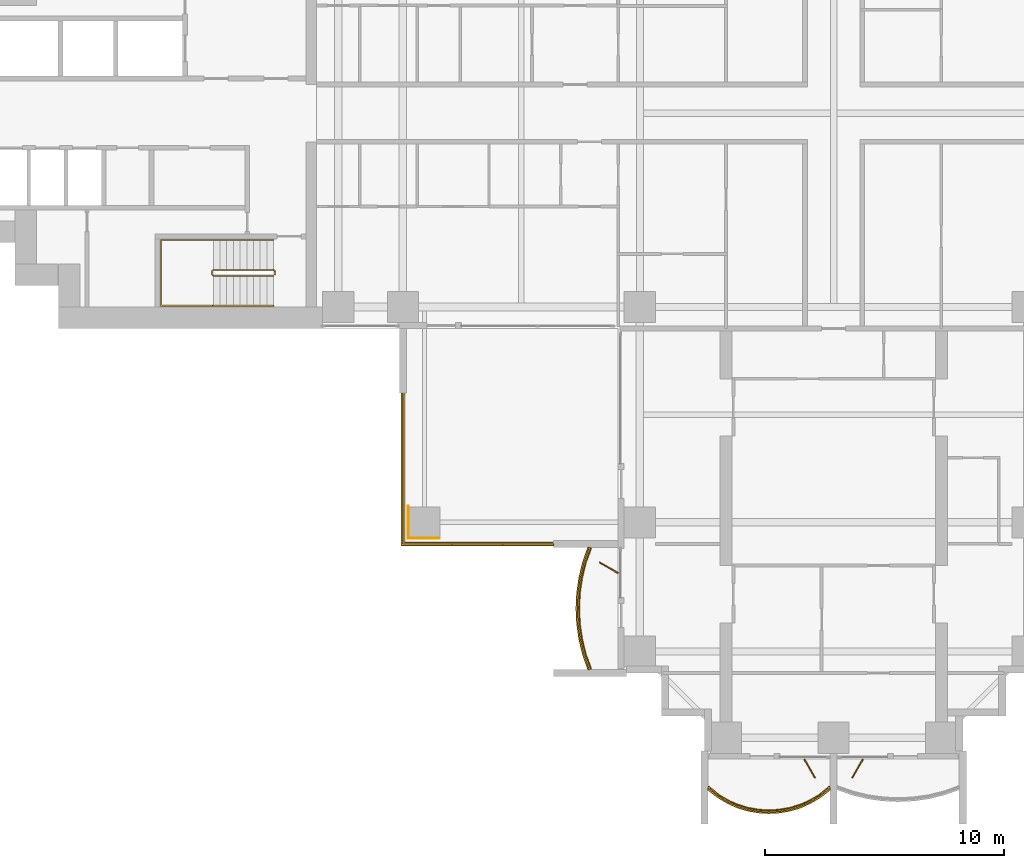
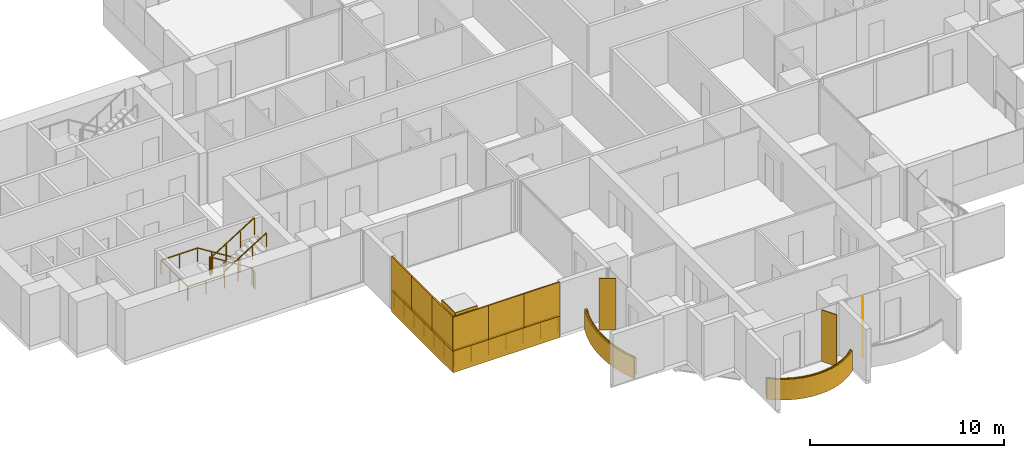
# One storey, part 17 of 20: 11 coverings, 5 railings, 3 shading devices.
"""IFC4 building model written with IfcOpenShell, lengths in metres."""

from ifc_helpers import new_model, si_unit, direction, frame, origin, origin_2d, place, context, subcontext, project, spatial, polyline, rectangle, outline, extrude, material, layer, layer_set, type_object, element, save


model = new_model("IFC4")

# Units and contexts
model_context = context("Model", 3, precision=1e-05, world=origin(), true_north=direction((0.0, 1.0)))
body_context = subcontext(model_context, "Body", "Model", "MODEL_VIEW")
ifc_project = project(units=[si_unit("LENGTHUNIT", "METRE"), si_unit("AREAUNIT", "SQUARE_METRE"), si_unit("VOLUMEUNIT", "CUBIC_METRE"), si_unit("PLANEANGLEUNIT", "RADIAN"), si_unit("MASSUNIT", "GRAM", prefix="KILO")], contexts=[model_context])

# Site, building, storey
site_placement = place(None, origin())
site = spatial("IfcSite", under=ifc_project, at=site_placement, CompositionType="ELEMENT")
building_placement = place(site_placement, origin())
building = spatial("IfcBuilding", under=site, at=building_placement, Name="Perihelion Cross Residences", CompositionType="ELEMENT")
storey_placement = place(building_placement, frame((0.0, 0.0, 68.0)))
storey = spatial("IfcBuildingStorey", under=building, at=storey_placement, Name="L14", CompositionType="ELEMENT", Elevation=68.0)

# Coverings
ifc_material_1 = material(Name="Bronze anodised aluminium", Category="aluminium")
ifc_layer_1 = layer(ifc_material_1, 0.070068359375)
ifc_layer_set_1 = layer_set([ifc_layer_1], Name="Balcony fascia 1300")
covering_type_1 = type_object("IfcCoveringType", Name="Balcony fascia 1300", PredefinedType="CLADDING", material=ifc_layer_set_1)
covering_1_placement = place(storey_placement, frame((0.0, 0.0, -0.199951171875)))
element("IfcCovering", 1, at=covering_1_placement, inside=storey, type_object=covering_type_1, Name="Fascia BF1 L14 south side west bay 2", PredefinedType="CLADDING", context=body_context, shape_type="SweptSolid", body=[
    extrude(outline(polyline([(-10.49072265625, -18.767578125), (-10.647216796875, -19.411865234375), (-10.739501953125, -20.055908203125), (-10.77001953125, -20.699951171875), (-10.739501953125, -21.34423828125), (-10.647216796875, -21.98828125), (-10.49072265625, -22.63232421875), (-10.274169921875, -23.25), (-10.199951171875, -23.25), (-10.423583984375, -22.612548828125), (-10.57861328125, -21.97509765625), (-10.669921875, -21.33740234375), (-10.699951171875, -20.699951171875), (-10.669921875, -20.0625), (-10.57861328125, -19.425048828125), (-10.423583984375, -18.78759765625), (-10.199951171875, -18.14990234375), (-10.274169921875, -18.14990234375), (-10.49072265625, -18.767578125)])), origin(), (0.0, 0.0, 1.0), 1.300048828125),
])
covering_2_placement = place(storey_placement, frame((0.0, 0.0, -0.199951171875)))
element("IfcCovering", 2, at=covering_2_placement, inside=storey, type_object=covering_type_1, Name="Fascia BF1 L14 south tip south bay 1", PredefinedType="CLADDING", context=body_context, shape_type="SweptSolid", body=[
    extrude(outline(polyline([(-4.86474609375, -28.59765625), (-4.431884765625, -28.85498046875), (-3.998779296875, -29.04248046875), (-3.56591796875, -29.170654296875), (-3.133056640625, -29.245361328125), (-2.699951171875, -29.27001953125), (-2.26708984375, -29.245361328125), (-1.833984375, -29.170654296875), (-1.401123046875, -29.04248046875), (-0.96826171875, -28.85498046875), (-0.53515625, -28.59765625), (-0.14990234375, -28.28955078125), (-0.14990234375, -28.199951171875), (-0.574951171875, -28.5400390625), (-1.0, -28.792724609375), (-1.425048828125, -28.9765625), (-1.85009765625, -29.1025390625), (-2.27490234375, -29.17578125), (-2.699951171875, -29.199951171875), (-3.125, -29.17578125), (-3.550048828125, -29.1025390625), (-3.97509765625, -28.9765625), (-4.39990234375, -28.792724609375), (-4.824951171875, -28.5400390625), (-5.25, -28.199951171875), (-5.25, -28.28955078125), (-4.86474609375, -28.59765625)])), origin(), (0.0, 0.0, 1.0), 1.300048828125),
])

# Railings
ifc_material_2 = material(Name="Bronze anodised aluminium", Category="aluminium")
railing_type_1 = type_object("IfcRailingType", Name="Balcony guard 1100", PredefinedType="GUARDRAIL", material=ifc_material_2)
railing_1_placement = place(storey_placement, frame((-10.139892578125, -18.175048828125, 0.0)))
element("IfcRailing", 3, at=railing_1_placement, inside=storey, type_object=railing_type_1, Name="Guard GU1 L14 south side west bay 2 balcony", PredefinedType="GUARDRAIL", context=body_context, shape_type="SweptSolid", body=[
    extrude(rectangle(XDim=0.048095703125, YDim=0.048095703125, at=origin_2d()), frame((0.0, 0.0, 1.076171875), z_axis=(-0.342945217749, -0.939355405384, 0.0), x_axis=(0.939355405384, -0.342945217749, 0.0)), (0.0, 0.0, 1.0), 0.652099609375),
    extrude(rectangle(XDim=0.048095703125, YDim=0.048095703125, at=origin_2d()), frame((-0.2236328125, -0.612548828125, 1.076171875), z_axis=(-0.236313594268, -0.971676841941, 0.0), x_axis=(0.971676841941, -0.236313594268, 0.0)), (0.0, 0.0, 1.0), 0.656005859375),
    extrude(rectangle(XDim=0.048095703125, YDim=0.048095703125, at=origin_2d()), frame((-0.378662109375, -1.25, 1.076171875), z_axis=(-0.141792889142, -0.989896346386, 0.0), x_axis=(0.989896346386, -0.141792889142, 0.0)), (0.0, 0.0, 1.0), 0.64404296875),
    extrude(rectangle(XDim=0.048095703125, YDim=0.048095703125, at=origin_2d()), frame((-0.469970703125, -1.887451171875, 1.076171875), z_axis=(-0.04705620296, -0.998892243319, 0.0), x_axis=(0.998892243319, -0.04705620296, 0.0)), (0.0, 0.0, 1.0), 0.63818359375),
    extrude(rectangle(XDim=0.048095703125, YDim=0.048095703125, at=origin_2d()), frame((-0.5, -2.52490234375, 1.076171875), z_axis=(0.04705620296, -0.998892243319, 0.0), x_axis=(0.998892243319, 0.04705620296, 0.0)), (0.0, 0.0, 1.0), 0.63818359375),
    extrude(rectangle(XDim=0.048095703125, YDim=0.048095703125, at=origin_2d()), frame((-0.469970703125, -3.162353515625, 1.076171875), z_axis=(0.141739694763, -0.989903964498, 0.0), x_axis=(0.989903964498, 0.141739694763, 0.0)), (0.0, 0.0, 1.0), 0.644287109375),
    extrude(rectangle(XDim=0.048095703125, YDim=0.048095703125, at=origin_2d()), frame((-0.378662109375, -3.800048828125, 1.076171875), z_axis=(0.236313594268, -0.971676841941, 0.0), x_axis=(0.971676841941, 0.236313594268, 0.0)), (0.0, 0.0, 1.0), 0.656005859375),
    extrude(rectangle(XDim=0.048095703125, YDim=0.048095703125, at=origin_2d()), frame((-0.2236328125, -4.4375, 1.076171875), z_axis=(0.342945217749, -0.939355405384, 0.0), x_axis=(0.939355405384, 0.342945217749, 0.0)), (0.0, 0.0, 1.0), 0.652099609375),
    extrude(rectangle(XDim=0.0419921875, YDim=0.0419921875, at=origin_2d()), origin(), (0.0, 0.0, 1.0), 1.052001953125),
    extrude(rectangle(XDim=0.0419921875, YDim=0.0419921875, at=origin_2d()), frame((-0.2236328125, -0.612548828125, 0.0)), (0.0, 0.0, 1.0), 1.052001953125),
    extrude(rectangle(XDim=0.0419921875, YDim=0.0419921875, at=origin_2d()), frame((-0.378662109375, -1.25, 0.0)), (0.0, 0.0, 1.0), 1.052001953125),
    extrude(rectangle(XDim=0.0419921875, YDim=0.0419921875, at=origin_2d()), frame((-0.469970703125, -1.887451171875, 0.0)), (0.0, 0.0, 1.0), 1.052001953125),
    extrude(rectangle(XDim=0.0419921875, YDim=0.0419921875, at=origin_2d()), frame((-0.5, -2.52490234375, 0.0)), (0.0, 0.0, 1.0), 1.052001953125),
    extrude(rectangle(XDim=0.0419921875, YDim=0.0419921875, at=origin_2d()), frame((-0.469970703125, -3.162353515625, 0.0)), (0.0, 0.0, 1.0), 1.052001953125),
    extrude(rectangle(XDim=0.0419921875, YDim=0.0419921875, at=origin_2d()), frame((-0.378662109375, -3.800048828125, 0.0)), (0.0, 0.0, 1.0), 1.052001953125),
    extrude(rectangle(XDim=0.0419921875, YDim=0.0419921875, at=origin_2d()), frame((-0.2236328125, -4.4375, 0.0)), (0.0, 0.0, 1.0), 1.052001953125),
    extrude(rectangle(XDim=0.0419921875, YDim=0.0419921875, at=origin_2d()), frame((0.0, -5.050048828125, 0.0)), (0.0, 0.0, 1.0), 1.052001953125),
])
railing_2_placement = place(storey_placement, frame((-5.22509765625, -28.139892578125, 0.0)))
element("IfcRailing", 4, at=railing_2_placement, inside=storey, type_object=railing_type_1, Name="Guard GU1 L14 south tip south bay 1 balcony", PredefinedType="GUARDRAIL", context=body_context, shape_type="SweptSolid", body=[
    extrude(rectangle(XDim=0.048095703125, YDim=0.048095703125, at=origin_2d()), frame((0.0, 0.0, 1.076171875), z_axis=(0.761973728849, -0.647607934281, 0.0), x_axis=(0.647607934281, 0.761973728849, 0.0)), (0.0, 0.0, 1.0), 0.525146484375),
    extrude(rectangle(XDim=0.048095703125, YDim=0.048095703125, at=origin_2d()), frame((0.400146484375, -0.340087890625, 1.076171875), z_axis=(0.859576918062, -0.511006381501, 0.0), x_axis=(0.511006381501, 0.859576918062, 0.0)), (0.0, 0.0, 1.0), 0.494384765625),
    extrude(rectangle(XDim=0.048095703125, YDim=0.048095703125, at=origin_2d()), frame((0.8251953125, -0.5927734375, 1.076171875), z_axis=(0.91755562531, -0.397607437634, 0.0), x_axis=(0.397607437634, 0.91755562531, 0.0)), (0.0, 0.0, 1.0), 0.462890625),
    extrude(rectangle(XDim=0.048095703125, YDim=0.048095703125, at=origin_2d()), frame((1.25, -0.77685546875, 1.076171875), z_axis=(0.958925815697, -0.283656975924, 0.0), x_axis=(0.283656975924, 0.958925815697, 0.0)), (0.0, 0.0, 1.0), 0.443359375),
    extrude(rectangle(XDim=0.048095703125, YDim=0.048095703125, at=origin_2d()), frame((1.675048828125, -0.902587890625, 1.076171875), z_axis=(0.985381583142, -0.17036177859, 0.0), x_axis=(0.17036177859, 0.985381583142, 0.0)), (0.0, 0.0, 1.0), 0.431396484375),
    extrude(rectangle(XDim=0.048095703125, YDim=0.048095703125, at=origin_2d()), frame((2.10009765625, -0.97607421875, 1.076171875), z_axis=(0.9984195016, -0.056200523353, 0.0), x_axis=(0.056200523353, 0.9984195016, 0.0)), (0.0, 0.0, 1.0), 0.42578125),
    extrude(rectangle(XDim=0.048095703125, YDim=0.048095703125, at=origin_2d()), frame((2.525146484375, -1.0, 1.076171875), z_axis=(0.9984195016, 0.056200523353, 0.0), x_axis=(-0.056200523353, 0.9984195016, 0.0)), (0.0, 0.0, 1.0), 0.42578125),
    extrude(rectangle(XDim=0.048095703125, YDim=0.048095703125, at=origin_2d()), frame((2.9501953125, -0.97607421875, 1.076171875), z_axis=(0.985365142702, 0.170456843651, 0.0), x_axis=(-0.170456843651, 0.985365142702, 0.0)), (0.0, 0.0, 1.0), 0.43115234375),
    extrude(rectangle(XDim=0.048095703125, YDim=0.048095703125, at=origin_2d()), frame((3.375, -0.902587890625, 1.076171875), z_axis=(0.958925815697, 0.283656975924, 0.0), x_axis=(-0.283656975924, 0.958925815697, 0.0)), (0.0, 0.0, 1.0), 0.443359375),
    extrude(rectangle(XDim=0.048095703125, YDim=0.048095703125, at=origin_2d()), frame((3.800048828125, -0.77685546875, 1.076171875), z_axis=(0.917638931453, 0.397415137459, 0.0), x_axis=(-0.397415137459, 0.917638931453, 0.0)), (0.0, 0.0, 1.0), 0.463134765625),
    extrude(rectangle(XDim=0.048095703125, YDim=0.048095703125, at=origin_2d()), frame((4.22509765625, -0.5927734375, 1.076171875), z_axis=(0.859576918062, 0.511006381501, 0.0), x_axis=(-0.511006381501, 0.859576918062, 0.0)), (0.0, 0.0, 1.0), 0.494384765625),
    extrude(rectangle(XDim=0.048095703125, YDim=0.048095703125, at=origin_2d()), frame((4.650146484375, -0.340087890625, 1.076171875), z_axis=(0.761778647315, 0.647837396648, 0.0), x_axis=(-0.647837396648, 0.761778647315, 0.0)), (0.0, 0.0, 1.0), 0.52490234375),
    extrude(rectangle(XDim=0.0419921875, YDim=0.0419921875, at=origin_2d()), origin(), (0.0, 0.0, 1.0), 1.052001953125),
    extrude(rectangle(XDim=0.0419921875, YDim=0.0419921875, at=origin_2d()), frame((0.400146484375, -0.340087890625, 0.0)), (0.0, 0.0, 1.0), 1.052001953125),
    extrude(rectangle(XDim=0.0419921875, YDim=0.0419921875, at=origin_2d()), frame((0.8251953125, -0.5927734375, 0.0)), (0.0, 0.0, 1.0), 1.052001953125),
    extrude(rectangle(XDim=0.0419921875, YDim=0.0419921875, at=origin_2d()), frame((1.25, -0.77685546875, 0.0)), (0.0, 0.0, 1.0), 1.052001953125),
    extrude(rectangle(XDim=0.0419921875, YDim=0.0419921875, at=origin_2d()), frame((1.675048828125, -0.902587890625, 0.0)), (0.0, 0.0, 1.0), 1.052001953125),
    extrude(rectangle(XDim=0.0419921875, YDim=0.0419921875, at=origin_2d()), frame((2.10009765625, -0.97607421875, 0.0)), (0.0, 0.0, 1.0), 1.052001953125),
    extrude(rectangle(XDim=0.0419921875, YDim=0.0419921875, at=origin_2d()), frame((2.525146484375, -1.0, 0.0)), (0.0, 0.0, 1.0), 1.052001953125),
    extrude(rectangle(XDim=0.0419921875, YDim=0.0419921875, at=origin_2d()), frame((2.9501953125, -0.97607421875, 0.0)), (0.0, 0.0, 1.0), 1.052001953125),
    extrude(rectangle(XDim=0.0419921875, YDim=0.0419921875, at=origin_2d()), frame((3.375, -0.902587890625, 0.0)), (0.0, 0.0, 1.0), 1.052001953125),
    extrude(rectangle(XDim=0.0419921875, YDim=0.0419921875, at=origin_2d()), frame((3.800048828125, -0.77685546875, 0.0)), (0.0, 0.0, 1.0), 1.052001953125),
    extrude(rectangle(XDim=0.0419921875, YDim=0.0419921875, at=origin_2d()), frame((4.22509765625, -0.5927734375, 0.0)), (0.0, 0.0, 1.0), 1.052001953125),
    extrude(rectangle(XDim=0.0419921875, YDim=0.0419921875, at=origin_2d()), frame((4.650146484375, -0.340087890625, 0.0)), (0.0, 0.0, 1.0), 1.052001953125),
    extrude(rectangle(XDim=0.0419921875, YDim=0.0419921875, at=origin_2d()), frame((5.050048828125, 0.0, 0.0)), (0.0, 0.0, 1.0), 1.052001953125),
])
railing_3_placement = place(storey_placement, frame((-11.739990234375, -17.93994140625, 0.0)))
element("IfcRailing", 5, at=railing_3_placement, inside=storey, type_object=railing_type_1, Name="Guard GU1 L14 pocket south-west 1", PredefinedType="GUARDRAIL", context=body_context, shape_type="SweptSolid", body=[
    extrude(rectangle(XDim=0.048095703125, YDim=0.048095703125, at=origin_2d()), frame((0.0, 0.0, 1.076171875), z_axis=(-1.0, 0.0, 0.0), x_axis=(0.0, -1.0, 0.0)), (0.0, 0.0, 1.0), 6.199951171875),
    extrude(rectangle(XDim=0.048095703125, YDim=0.048095703125, at=origin_2d()), frame((-6.199951171875, 0.0, 1.076171875), z_axis=(0.0, 1.0, 0.0), x_axis=(-1.0, 0.0, 0.0)), (0.0, 0.0, 1.0), 6.199951171875),
    extrude(rectangle(XDim=0.0419921875, YDim=0.0419921875, at=origin_2d()), origin(), (0.0, 0.0, 1.0), 1.052001953125),
    extrude(rectangle(XDim=0.0419921875, YDim=0.0419921875, at=origin_2d()), frame((-1.033203125, 0.0, 0.0)), (0.0, 0.0, 1.0), 1.052001953125),
    extrude(rectangle(XDim=0.0419921875, YDim=0.0419921875, at=origin_2d()), frame((-2.066650390625, 0.0, 0.0)), (0.0, 0.0, 1.0), 1.052001953125),
    extrude(rectangle(XDim=0.0419921875, YDim=0.0419921875, at=origin_2d()), frame((-3.10009765625, 0.0, 0.0)), (0.0, 0.0, 1.0), 1.052001953125),
    extrude(rectangle(XDim=0.0419921875, YDim=0.0419921875, at=origin_2d()), frame((-4.13330078125, 0.0, 0.0)), (0.0, 0.0, 1.0), 1.052001953125),
    extrude(rectangle(XDim=0.0419921875, YDim=0.0419921875, at=origin_2d()), frame((-5.16650390625, 0.0, 0.0)), (0.0, 0.0, 1.0), 1.052001953125),
    extrude(rectangle(XDim=0.0419921875, YDim=0.0419921875, at=origin_2d()), frame((-6.199951171875, 0.0, 0.0)), (0.0, 0.0, 1.0), 1.052001953125),
    extrude(rectangle(XDim=0.0419921875, YDim=0.0419921875, at=origin_2d()), frame((-6.199951171875, 1.033203125, 0.0)), (0.0, 0.0, 1.0), 1.052001953125),
    extrude(rectangle(XDim=0.0419921875, YDim=0.0419921875, at=origin_2d()), frame((-6.199951171875, 2.066650390625, 0.0)), (0.0, 0.0, 1.0), 1.052001953125),
    extrude(rectangle(XDim=0.0419921875, YDim=0.0419921875, at=origin_2d()), frame((-6.199951171875, 3.10009765625, 0.0)), (0.0, 0.0, 1.0), 1.052001953125),
    extrude(rectangle(XDim=0.0419921875, YDim=0.0419921875, at=origin_2d()), frame((-6.199951171875, 4.13330078125, 0.0)), (0.0, 0.0, 1.0), 1.052001953125),
    extrude(rectangle(XDim=0.0419921875, YDim=0.0419921875, at=origin_2d()), frame((-6.199951171875, 5.16650390625, 0.0)), (0.0, 0.0, 1.0), 1.052001953125),
    extrude(rectangle(XDim=0.0419921875, YDim=0.0419921875, at=origin_2d()), frame((-6.199951171875, 6.199951171875, 0.0)), (0.0, 0.0, 1.0), 1.052001953125),
])

# Coverings
ifc_material_3 = material(Name="Bronze anodised aluminium", Category="aluminium")
ifc_layer_2 = layer(ifc_material_3, 0.0400390625)
ifc_layer_set_2 = layer_set([ifc_layer_2], Name="Bronze column casing 40")
covering_type_2 = type_object("IfcCoveringType", Name="Bronze column casing 40", PredefinedType="CLADDING", material=ifc_layer_set_2)
covering_3_placement = place(storey_placement, frame((-17.77001953125, -17.10009765625, -0.25), z_axis=(0.0, 0.0, 1.0), x_axis=(1.0, 0.0, 0.0)))
element("IfcCovering", 6, at=covering_3_placement, inside=storey, type_object=covering_type_2, Name="Cladding CC1 L14 casing east-west no. 1", PredefinedType="CLADDING", context=body_context, shape_type="SweptSolid", body=[
    extrude(rectangle(XDim=0.0400390625, YDim=1.3798828125, at=origin_2d()), origin(), (0.0, 0.0, 1.0), 3.5),
])
covering_4_placement = place(storey_placement, frame((-17.10009765625, -17.77001953125, -0.25), z_axis=(0.0, 0.0, 1.0), x_axis=(1.0, 0.0, 0.0)))
element("IfcCovering", 7, at=covering_4_placement, inside=storey, type_object=covering_type_2, Name="Cladding CC1 L14 casing north-south no. 1", PredefinedType="CLADDING", context=body_context, shape_type="SweptSolid", body=[
    extrude(rectangle(XDim=1.300048828125, YDim=0.0400390625, at=origin_2d()), origin(), (0.0, 0.0, 1.0), 3.5),
])

# Shading devices
ifc_material_4 = material(Name="Bronze anodised aluminium", Category="aluminium")
ifc_layer_3 = layer(ifc_material_4, 0.050048828125)
ifc_layer_set_3 = layer_set([ifc_layer_3], Name="Bronze fin 900")
shading_device_type = type_object("IfcShadingDeviceType", Name="Bronze fin 900", PredefinedType="USERDEFINED", material=ifc_layer_set_3)
for number, where, z_axis, x_axis, name in (
    (8, (-9.3896484375, -19.0, 0.0), (0.0, 0.0, 1.0), (-0.866025403784, 0.5, 0.0), "Fin FN1 L14 south side west bay 2"),
    (9, (-1.0, -27.3896484375, 0.0), (0.0, 0.0, 1.0), (0.5, -0.866025403784, 0.0), "Fin FN1 L14 south tip south bay 1"),
    (10, (1.0, -27.3896484375, 0.0), (0.0, 0.0, 1.0), (-0.5, -0.866025403784, 0.0), "Fin FN1 L14 south tip south bay 2"),
):
    element("IfcShadingDevice", number, at=place(storey_placement, frame(where, z_axis=z_axis, x_axis=x_axis)), inside=storey, type_object=shading_device_type, Name=name, ObjectType="FIN", PredefinedType="USERDEFINED", context=body_context, shape_type="SweptSolid", body=[
        extrude(rectangle(XDim=0.89990234375, YDim=0.050048828125, at=origin_2d()), origin(), (0.0, 0.0, 1.0), 3.25),
    ])

# Coverings
ifc_material_5 = material(Name="Bronze anodised aluminium", Category="aluminium")
ifc_layer_4 = layer(ifc_material_5, 0.070068359375)
ifc_layer_set_4 = layer_set([ifc_layer_4], Name="Pocket fascia 1350")
covering_type_3 = type_object("IfcCoveringType", Name="Pocket fascia 1350", PredefinedType="CLADDING", material=ifc_layer_set_4)
covering_5_placement = place(storey_placement, frame((0.0, 0.0, -0.25)))
element("IfcCovering", 11, at=covering_5_placement, inside=storey, type_object=covering_type_3, Name="Fascia BF2 L14 pocket south-west 1", PredefinedType="CLADDING", context=body_context, shape_type="SweptSolid", body=[
    extrude(outline(polyline([(-18.070068359375, -11.699951171875), (-18.070068359375, -18.070068359375), (-11.699951171875, -18.070068359375), (-11.699951171875, -18.0), (-18.0, -18.0), (-18.0, -11.699951171875), (-18.070068359375, -11.699951171875)])), origin(), (0.0, 0.0, 1.0), 1.35009765625),
])
ifc_material_6 = material(Name="Bronze perforated aluminium", Category="aluminium")
ifc_layer_5 = layer(ifc_material_6, 0.070068359375)
ifc_layer_set_5 = layer_set([ifc_layer_5], Name="Pocket solar screen, bronze perforated")
covering_type_4 = type_object("IfcCoveringType", Name="Pocket solar screen, bronze perforated", PredefinedType="CLADDING", material=ifc_layer_set_5)
covering_6_placement = place(storey_placement, frame((0.0, 0.0, 1.10009765625)))
element("IfcCovering", 12, at=covering_6_placement, inside=storey, type_object=covering_type_4, Name="Solar screen PS1 L14 pocket south-west no. 1", PredefinedType="CLADDING", context=body_context, shape_type="SweptSolid", body=[
    extrude(outline(polyline([(-18.0, -18.0), (-18.0, -15.89990234375), (-18.070068359375, -15.89990234375), (-18.070068359375, -18.0), (-18.0, -18.0)])), origin(), (0.0, 0.0, 1.0), 2.14990234375),
])
covering_7_placement = place(storey_placement, frame((0.0, 0.0, 1.10009765625)))
element("IfcCovering", 13, at=covering_7_placement, inside=storey, type_object=covering_type_4, Name="Solar screen PS1 L14 pocket south-west no. 2", PredefinedType="CLADDING", context=body_context, shape_type="SweptSolid", body=[
    extrude(outline(polyline([(-18.0, -15.89990234375), (-18.0, -13.800048828125), (-18.070068359375, -13.800048828125), (-18.070068359375, -15.89990234375), (-18.0, -15.89990234375)])), origin(), (0.0, 0.0, 1.0), 2.14990234375),
])
covering_8_placement = place(storey_placement, frame((0.0, 0.0, 1.10009765625)))
element("IfcCovering", 14, at=covering_8_placement, inside=storey, type_object=covering_type_4, Name="Solar screen PS1 L14 pocket south-west no. 3", PredefinedType="CLADDING", context=body_context, shape_type="SweptSolid", body=[
    extrude(outline(polyline([(-18.0, -13.800048828125), (-18.0, -11.699951171875), (-18.070068359375, -11.699951171875), (-18.070068359375, -13.800048828125), (-18.0, -13.800048828125)])), origin(), (0.0, 0.0, 1.0), 2.14990234375),
])
covering_9_placement = place(storey_placement, frame((0.0, 0.0, 1.10009765625)))
element("IfcCovering", 15, at=covering_9_placement, inside=storey, type_object=covering_type_4, Name="Solar screen PS1 L14 pocket south-west no. 4", PredefinedType="CLADDING", context=body_context, shape_type="SweptSolid", body=[
    extrude(outline(polyline([(-15.94677734375, -18.070068359375), (-15.94677734375, -18.0), (-18.070068359375, -18.0), (-18.070068359375, -18.070068359375), (-15.94677734375, -18.070068359375)])), origin(), (0.0, 0.0, 1.0), 2.14990234375),
])
covering_10_placement = place(storey_placement, frame((0.0, 0.0, 1.10009765625)))
element("IfcCovering", 16, at=covering_10_placement, inside=storey, type_object=covering_type_4, Name="Solar screen PS1 L14 pocket south-west no. 5", PredefinedType="CLADDING", context=body_context, shape_type="SweptSolid", body=[
    extrude(outline(polyline([(-13.8232421875, -18.070068359375), (-13.8232421875, -18.0), (-15.94677734375, -18.0), (-15.94677734375, -18.070068359375), (-13.8232421875, -18.070068359375)])), origin(), (0.0, 0.0, 1.0), 2.14990234375),
])
covering_11_placement = place(storey_placement, frame((0.0, 0.0, 1.10009765625)))
element("IfcCovering", 17, at=covering_11_placement, inside=storey, type_object=covering_type_4, Name="Solar screen PS1 L14 pocket south-west no. 6", PredefinedType="CLADDING", context=body_context, shape_type="SweptSolid", body=[
    extrude(outline(polyline([(-11.699951171875, -18.070068359375), (-11.699951171875, -18.0), (-13.8232421875, -18.0), (-13.8232421875, -18.070068359375), (-11.699951171875, -18.070068359375)])), origin(), (0.0, 0.0, 1.0), 2.14990234375),
])

# Railings
ifc_material_7 = material(Name="Stainless steel", Category="steel")
railing_type_2 = type_object("IfcRailingType", Name="Stair guard 1100", PredefinedType="GUARDRAIL", material=ifc_material_7)
railing_4_placement = place(storey_placement, frame((-23.35009765625, -6.75, 0.0)))
element("IfcRailing", 18, at=railing_4_placement, inside=storey, type_object=railing_type_2, Name="L14 ST-W2 stair guard 1", PredefinedType="GUARDRAIL", context=body_context, shape_type="SweptSolid", body=[
    extrude(rectangle(XDim=0.048095703125, YDim=0.048095703125, at=origin_2d()), frame((0.0, 0.0, 1.076171875), z_axis=(0.0, 1.0, 0.0), x_axis=(-1.0, 0.0, 0.0)), (0.0, 0.0, 1.0), 0.14990234375),
    extrude(rectangle(XDim=0.048095703125, YDim=0.048095703125, at=origin_2d()), frame((0.0, 0.14990234375, 1.076171875), z_axis=(-0.263862480399, 0.265155923931, 0.927399011991), x_axis=(-0.708833529934, -0.705375805398, 0.0)), (0.0, 0.0, 1.0), 0.188720703125),
    extrude(rectangle(XDim=0.048095703125, YDim=0.048095703125, at=origin_2d()), frame((-0.0498046875, 0.199951171875, 1.2509765625), z_axis=(-0.848007534815, 0.0, 0.529984170421), x_axis=(0.0, -1.0, 0.0)), (0.0, 0.0, 1.0), 2.9716796875),
    extrude(rectangle(XDim=0.048095703125, YDim=0.048095703125, at=origin_2d()), frame((-2.56982421875, 0.199951171875, 2.826171875), z_axis=(-0.707106781187, -0.707106781187, 0.0), x_axis=(0.707106781187, -0.707106781187, 0.0)), (0.0, 0.0, 1.0), 0.07080078125),
    extrude(rectangle(XDim=0.048095703125, YDim=0.048095703125, at=origin_2d()), frame((-2.619873046875, 0.14990234375, 2.826171875), z_axis=(0.0, -1.0, 0.0), x_axis=(1.0, 0.0, 0.0)), (0.0, 0.0, 1.0), 0.14990234375),
    extrude(rectangle(XDim=0.048095703125, YDim=0.048095703125, at=origin_2d()), frame((-2.619873046875, 0.0, 2.826171875), z_axis=(0.265065253269, -0.265065253269, 0.927081885822), x_axis=(0.707106781187, 0.707106781187, 0.0)), (0.0, 0.0, 1.0), 0.188720703125),
    extrude(rectangle(XDim=0.048095703125, YDim=0.048095703125, at=origin_2d()), frame((-2.56982421875, -0.050048828125, 3.0009765625), z_axis=(0.848007534815, 0.0, 0.529984170421), x_axis=(0.0, 1.0, 0.0)), (0.0, 0.0, 1.0), 2.9716796875),
    extrude(rectangle(XDim=0.0419921875, YDim=0.0419921875, at=origin_2d()), origin(), (0.0, 0.0, 1.0), 1.052001953125),
    extrude(rectangle(XDim=0.0419921875, YDim=0.0419921875, at=origin_2d()), frame((0.0, 0.14990234375, 0.0)), (0.0, 0.0, 1.0), 1.052001953125),
    extrude(rectangle(XDim=0.0419921875, YDim=0.0419921875, at=origin_2d()), frame((-0.0498046875, 0.199951171875, 0.175048828125)), (0.0, 0.0, 1.0), 1.052001953125),
    extrude(rectangle(XDim=0.0419921875, YDim=0.0419921875, at=origin_2d()), frame((-0.889892578125, 0.199951171875, 0.699951171875)), (0.0, 0.0, 1.0), 1.052001953125),
    extrude(rectangle(XDim=0.0419921875, YDim=0.0419921875, at=origin_2d()), frame((-1.729736328125, 0.199951171875, 1.22509765625)), (0.0, 0.0, 1.0), 1.052001953125),
    extrude(rectangle(XDim=0.0419921875, YDim=0.0419921875, at=origin_2d()), frame((-2.56982421875, 0.199951171875, 1.75)), (0.0, 0.0, 1.0), 1.052001953125),
    extrude(rectangle(XDim=0.0419921875, YDim=0.0419921875, at=origin_2d()), frame((-2.619873046875, 0.14990234375, 1.75)), (0.0, 0.0, 1.0), 1.052001953125),
    extrude(rectangle(XDim=0.0419921875, YDim=0.0419921875, at=origin_2d()), frame((-2.619873046875, 0.0, 1.75)), (0.0, 0.0, 1.0), 1.052001953125),
    extrude(rectangle(XDim=0.0419921875, YDim=0.0419921875, at=origin_2d()), frame((-2.56982421875, -0.050048828125, 1.925048828125)), (0.0, 0.0, 1.0), 1.052001953125),
    extrude(rectangle(XDim=0.0419921875, YDim=0.0419921875, at=origin_2d()), frame((-1.729736328125, -0.050048828125, 2.449951171875)), (0.0, 0.0, 1.0), 1.052001953125),
    extrude(rectangle(XDim=0.0419921875, YDim=0.0419921875, at=origin_2d()), frame((-0.889892578125, -0.050048828125, 2.97509765625)), (0.0, 0.0, 1.0), 1.052001953125),
    extrude(rectangle(XDim=0.0419921875, YDim=0.0419921875, at=origin_2d()), frame((-0.0498046875, -0.050048828125, 3.5)), (0.0, 0.0, 1.0), 1.052001953125),
])
ifc_material_8 = material(Name="Stainless steel", Category="steel")
railing_type_3 = type_object("IfcRailingType", Name="Stair handrail 900", PredefinedType="HANDRAIL", material=ifc_material_8)
railing_5_placement = place(storey_placement, frame((-23.39990234375, -5.300048828125, 0.175048828125)))
element("IfcRailing", 19, at=railing_5_placement, inside=storey, type_object=railing_type_3, Name="L14 ST-W2 stair handrail 1", PredefinedType="HANDRAIL", context=body_context, shape_type="SweptSolid", body=[
    extrude(rectangle(XDim=0.048095703125, YDim=0.048095703125, at=origin_2d()), frame((0.0, 0.0, 0.8759765625), z_axis=(-0.848007534815, 0.0, 0.529984170421), x_axis=(0.0, -1.0, 0.0)), (0.0, 0.0, 1.0), 2.9716796875),
    extrude(rectangle(XDim=0.048095703125, YDim=0.048095703125, at=origin_2d()), frame((-2.52001953125, 0.0, 2.45068359375), z_axis=(-1.0, 0.0, 0.0), x_axis=(0.0, -1.0, 0.0)), (0.0, 0.0, 1.0), 2.18017578125),
    extrude(rectangle(XDim=0.048095703125, YDim=0.048095703125, at=origin_2d()), frame((-4.7001953125, 0.0, 2.45068359375), z_axis=(0.0, -1.0, 0.0), x_axis=(1.0, 0.0, 0.0)), (0.0, 0.0, 1.0), 2.75),
    extrude(rectangle(XDim=0.048095703125, YDim=0.048095703125, at=origin_2d()), frame((-4.7001953125, -2.75, 2.45068359375), z_axis=(1.0, 0.0, 0.0), x_axis=(0.0, 1.0, 0.0)), (0.0, 0.0, 1.0), 2.18017578125),
    extrude(rectangle(XDim=0.048095703125, YDim=0.048095703125, at=origin_2d()), frame((-2.52001953125, -2.75, 2.45068359375), z_axis=(0.0, 0.0, 1.0), x_axis=(1.0, 0.0, 0.0)), (0.0, 0.0, 1.0), 0.175048828125),
    extrude(rectangle(XDim=0.048095703125, YDim=0.048095703125, at=origin_2d()), frame((-2.52001953125, -2.75, 2.6259765625), z_axis=(0.848007534815, 0.0, 0.529984170421), x_axis=(0.0, 1.0, 0.0)), (0.0, 0.0, 1.0), 2.9716796875),
    extrude(rectangle(XDim=0.0419921875, YDim=0.0419921875, at=origin_2d()), origin(), (0.0, 0.0, 1.0), 0.851806640625),
    extrude(rectangle(XDim=0.0419921875, YDim=0.0419921875, at=origin_2d()), frame((-0.840087890625, 0.0, 0.52490234375)), (0.0, 0.0, 1.0), 0.851806640625),
    extrude(rectangle(XDim=0.0419921875, YDim=0.0419921875, at=origin_2d()), frame((-1.679931640625, 0.0, 1.050048828125)), (0.0, 0.0, 1.0), 0.851806640625),
    extrude(rectangle(XDim=0.0419921875, YDim=0.0419921875, at=origin_2d()), frame((-2.52001953125, 0.0, 1.574951171875)), (0.0, 0.0, 1.0), 0.851806640625),
    extrude(rectangle(XDim=0.0419921875, YDim=0.0419921875, at=origin_2d()), frame((-3.610107421875, 0.0, 1.574951171875)), (0.0, 0.0, 1.0), 0.851806640625),
    extrude(rectangle(XDim=0.0419921875, YDim=0.0419921875, at=origin_2d()), frame((-4.7001953125, 0.0, 1.574951171875)), (0.0, 0.0, 1.0), 0.851806640625),
    extrude(rectangle(XDim=0.0419921875, YDim=0.0419921875, at=origin_2d()), frame((-4.7001953125, -0.916748046875, 1.574951171875)), (0.0, 0.0, 1.0), 0.851806640625),
    extrude(rectangle(XDim=0.0419921875, YDim=0.0419921875, at=origin_2d()), frame((-4.7001953125, -1.833251953125, 1.574951171875)), (0.0, 0.0, 1.0), 0.851806640625),
    extrude(rectangle(XDim=0.0419921875, YDim=0.0419921875, at=origin_2d()), frame((-4.7001953125, -2.75, 1.574951171875)), (0.0, 0.0, 1.0), 0.851806640625),
    extrude(rectangle(XDim=0.0419921875, YDim=0.0419921875, at=origin_2d()), frame((-3.610107421875, -2.75, 1.574951171875)), (0.0, 0.0, 1.0), 0.851806640625),
    extrude(rectangle(XDim=0.0419921875, YDim=0.0419921875, at=origin_2d()), frame((-2.52001953125, -2.75, 1.574951171875)), (0.0, 0.0, 1.0), 0.851806640625),
    extrude(rectangle(XDim=0.0419921875, YDim=0.0419921875, at=origin_2d()), frame((-2.52001953125, -2.75, 1.75)), (0.0, 0.0, 1.0), 0.851806640625),
    extrude(rectangle(XDim=0.0419921875, YDim=0.0419921875, at=origin_2d()), frame((-1.679931640625, -2.75, 2.27490234375)), (0.0, 0.0, 1.0), 0.851806640625),
    extrude(rectangle(XDim=0.0419921875, YDim=0.0419921875, at=origin_2d()), frame((-0.840087890625, -2.75, 2.800048828125)), (0.0, 0.0, 1.0), 0.851806640625),
    extrude(rectangle(XDim=0.0419921875, YDim=0.0419921875, at=origin_2d()), frame((0.0, -2.75, 3.324951171875)), (0.0, 0.0, 1.0), 0.851806640625),
])

save(model, "model.ifc")
